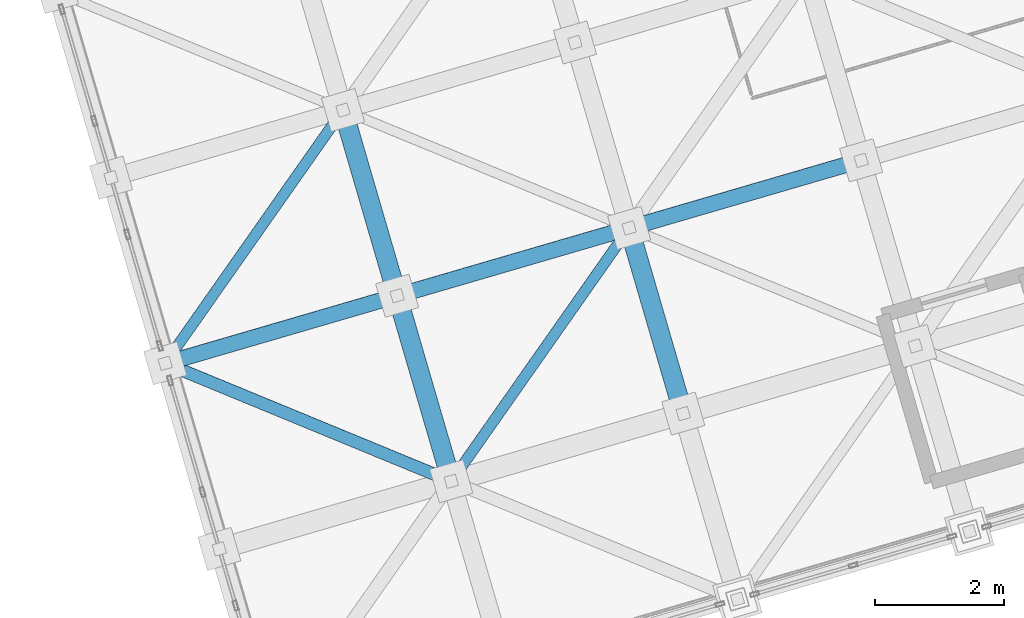
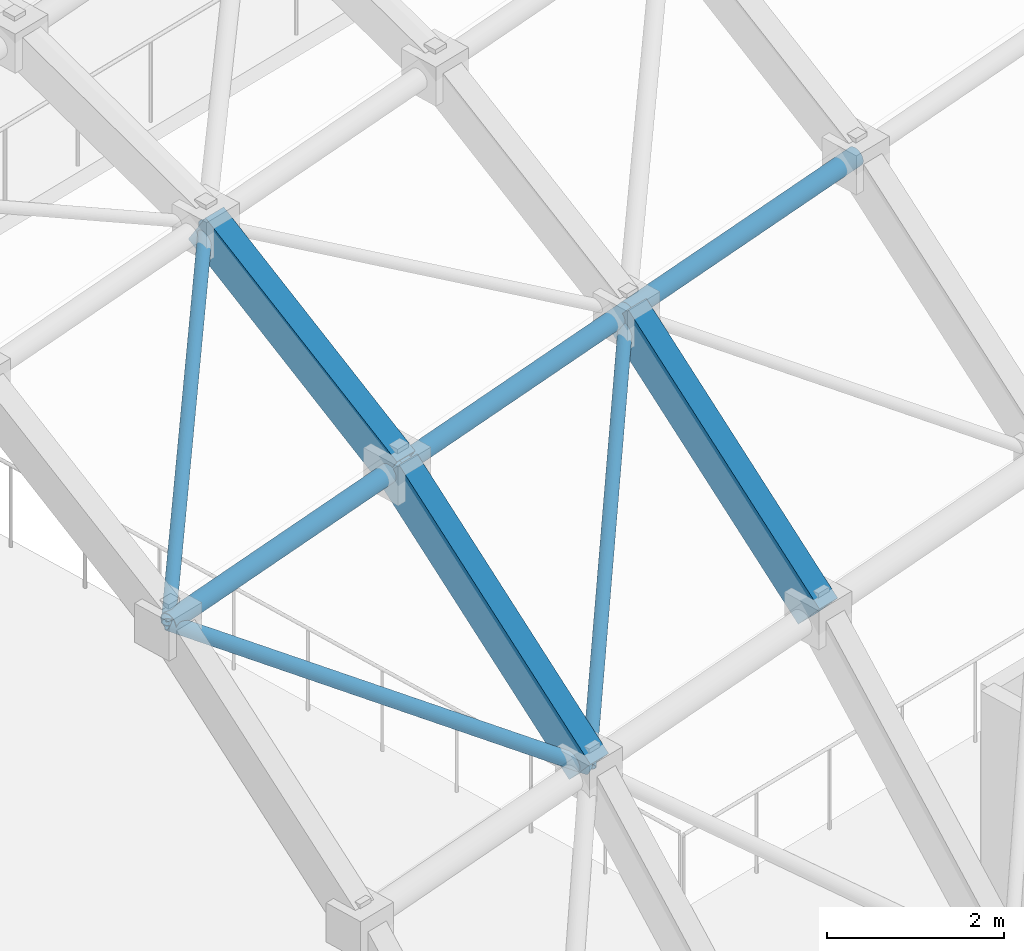
# One storey, part 33 of 248: 6 members, 3 beams.
"""IFC4 building model written with IfcOpenShell, lengths in metres."""

from ifc_helpers import new_model, si_unit, direction, frame, origin, origin_2d, place, context, subcontext, project, spatial, hollow_rectangle, hollow_circle, extrude, material, material_profile, profile_set, type_object, element, save


model = new_model("IFC4")

# Units and contexts
model_context = context("Model", 3, precision=1e-05, world=origin(), true_north=direction((0.0, 1.0)))
body_context = subcontext(model_context, "Body", "Model", "MODEL_VIEW")
ifc_project = project(units=[si_unit("LENGTHUNIT", "METRE"), si_unit("AREAUNIT", "SQUARE_METRE"), si_unit("VOLUMEUNIT", "CUBIC_METRE"), si_unit("PLANEANGLEUNIT", "RADIAN"), si_unit("MASSUNIT", "GRAM", prefix="KILO")], contexts=[model_context])

# Site, building, storey
site_placement = place(None, origin())
site = spatial("IfcSite", under=ifc_project, at=site_placement, CompositionType="ELEMENT")
building_placement = place(site_placement, origin())
building = spatial("IfcBuilding", under=site, at=building_placement, Name="Canggui Botanical Conservatory", CompositionType="ELEMENT")
storey_placement = place(building_placement, frame((0.0, 0.0, 5.39990234375)))
storey = spatial("IfcBuildingStorey", under=building, at=storey_placement, Name="L02", CompositionType="ELEMENT", Elevation=5.39990234375)

# Beams
ifc_material = material(Name="Steel Q355C", Category="steel")
ifc_material_profile_1 = material_profile(ifc_material, hollow_rectangle(XDim=0.300048828125, YDim=0.5, WallThickness=0.01611328125, at=origin_2d()), Name="RHS 300x500x16")
ifc_profile_set_1 = profile_set([ifc_material_profile_1], Name="Steel Q355C")
beam_type = type_object("IfcBeamType", Name="BM-GJ01", PredefinedType="BEAM", material=ifc_profile_set_1)
beam_1_placement = place(storey_placement, frame((22.760009765625, 45.929931640625, 7.30615234375), z_axis=(-0.208553195479, 0.714996235706, 0.66729749556), x_axis=(-0.959995442804, -0.2800156242, 0.0)))
element("IfcBeam", 1, at=beam_1_placement, inside=storey, type_object=beam_type, Name="Conservatory Stepped-Arch Rib GJ-02 Segment 2", PredefinedType="BEAM", context=body_context, shape_type="SweptSolid", body=[
    extrude(hollow_rectangle(XDim=0.300048828125, YDim=0.5, WallThickness=0.01611328125, at=origin_2d()), origin(), (0.0, 0.0, 1.0), 4.028076171875),
])
beam_2_placement = place(storey_placement, frame((21.919921875, 48.81005859375, 9.994140625), z_axis=(-0.235803624532, 0.808587079936, 0.539058053291), x_axis=(-0.960010937337, -0.279962497833, 0.0)))
element("IfcBeam", 2, at=beam_2_placement, inside=storey, type_object=beam_type, Name="Conservatory Stepped-Arch Rib GJ-02 Segment 3", PredefinedType="BEAM", context=body_context, shape_type="SweptSolid", body=[
    extrude(hollow_rectangle(XDim=0.300048828125, YDim=0.5, WallThickness=0.01611328125, at=origin_2d()), origin(), (0.0, 0.0, 1.0), 3.5615234375),
])
beam_3_placement = place(storey_placement, frame((26.360107421875, 46.97998046875, 7.55615234375), z_axis=(-0.208553195479, 0.714996235706, 0.66729749556), x_axis=(-0.959995442804, -0.2800156242, 0.0)))
element("IfcBeam", 3, at=beam_3_placement, inside=storey, type_object=beam_type, Name="Conservatory Stepped-Arch Rib GJ-03 Segment 2", PredefinedType="BEAM", context=body_context, shape_type="SweptSolid", body=[
    extrude(hollow_rectangle(XDim=0.300048828125, YDim=0.5, WallThickness=0.01611328125, at=origin_2d()), origin(), (0.0, 0.0, 1.0), 4.028076171875),
])

# Members
ifc_material_profile_2 = material_profile(ifc_material, hollow_circle(Radius=0.12255859375, WallThickness=0.010009765625, at=origin_2d()), Name="CHS 245x10")
ifc_profile_set_2 = profile_set([ifc_material_profile_2], Name="Steel Q355C")
member_type_1 = type_object("IfcMemberType", Name="MEM-GSC04", PredefinedType="CHORD", material=ifc_profile_set_2)
member_1_placement = place(storey_placement, frame((18.320068359375, 47.760009765625, 9.744140625), z_axis=(0.957867059601, 0.279402253194, 0.066521252562), x_axis=(-0.280022500685, 0.959993437014, 0.0)))
element("IfcMember", 4, at=member_1_placement, inside=storey, type_object=member_type_1, Name="Conservatory Gridshell Longitudinal Chord 1-2", PredefinedType="CHORD", context=body_context, shape_type="SweptSolid", body=[
    extrude(hollow_circle(Radius=0.12255859375, WallThickness=0.010009765625, at=origin_2d()), origin(), (0.0, 0.0, 1.0), 3.75830078125),
])
member_2_placement = place(storey_placement, frame((21.919921875, 48.81005859375, 9.994140625), z_axis=(0.957872417874, 0.27938486839, 0.066517113516), x_axis=(-0.280004999853, 0.959998541695, 0.0)))
element("IfcMember", 5, at=member_2_placement, inside=storey, type_object=member_type_1, Name="Conservatory Gridshell Longitudinal Chord 2-2", PredefinedType="CHORD", context=body_context, shape_type="SweptSolid", body=[
    extrude(hollow_circle(Radius=0.12255859375, WallThickness=0.010009765625, at=origin_2d()), origin(), (0.0, 0.0, 1.0), 3.758544921875),
])
member_3_placement = place(storey_placement, frame((25.52001953125, 49.860107421875, 10.244140625), z_axis=(0.957889800097, 0.279324979006, 0.066518320582), x_axis=(-0.279945000113, 0.960016039924, 0.0)))
element("IfcMember", 6, at=member_3_placement, inside=storey, type_object=member_type_1, Name="Conservatory Gridshell Longitudinal Chord 3-2", PredefinedType="CHORD", context=body_context, shape_type="SweptSolid", body=[
    extrude(hollow_circle(Radius=0.12255859375, WallThickness=0.010009765625, at=origin_2d()), origin(), (0.0, 0.0, 1.0), 3.75830078125),
])
ifc_material_profile_3 = material_profile(ifc_material, hollow_circle(Radius=0.096923828125, WallThickness=0.008056640625, at=origin_2d()), Name="CHS 194x8")
ifc_profile_set_3 = profile_set([ifc_material_profile_3], Name="Steel Q355C")
member_type_2 = type_object("IfcMemberType", Name="MEM-GSD02", PredefinedType="RAFTER", material=ifc_profile_set_3)
member_4_placement = place(storey_placement, frame((18.320068359375, 47.760009765625, 9.744140625), z_axis=(0.824390397512, -0.339801518737, -0.452675822586), x_axis=(0.381082183428, 0.924541166998, 0.0)))
element("IfcMember", 7, at=member_4_placement, inside=storey, type_object=member_type_2, Name="Conservatory Gridshell Diagrid Rafter 1-2", PredefinedType="RAFTER", context=body_context, shape_type="SweptSolid", body=[
    extrude(hollow_circle(Radius=0.096923828125, WallThickness=0.008056640625, at=origin_2d()), origin(), (0.0, 0.0, 1.0), 5.3857421875),
])
ifc_material_profile_4 = material_profile(ifc_material, hollow_circle(Radius=0.083984375, WallThickness=0.008056640625, at=origin_2d()), Name="CHS 168x8")
ifc_profile_set_4 = profile_set([ifc_material_profile_4], Name="Steel Q355C")
member_type_3 = type_object("IfcMemberType", Name="MEM-GSD03", PredefinedType="RAFTER", material=ifc_profile_set_4)
member_5_placement = place(storey_placement, frame((18.320068359375, 47.760009765625, 9.744140625), z_axis=(0.52374291705, 0.74574876035, 0.411767098341), x_axis=(-0.818344854073, 0.574727500484, 0.0)))
element("IfcMember", 8, at=member_5_placement, inside=storey, type_object=member_type_3, Name="Conservatory Gridshell Diagrid Rafter 1-3", PredefinedType="RAFTER", context=body_context, shape_type="SweptSolid", body=[
    extrude(hollow_circle(Radius=0.083984375, WallThickness=0.008056640625, at=origin_2d()), origin(), (0.0, 0.0, 1.0), 5.269775390625),
])
member_6_placement = place(storey_placement, frame((22.760009765625, 45.929931640625, 7.30615234375), z_axis=(0.49024183756, 0.69809049987, 0.521854955612), x_axis=(-0.818361645525, 0.574703590674, 0.0)))
element("IfcMember", 9, at=member_6_placement, inside=storey, type_object=member_type_3, Name="Conservatory Gridshell Diagrid Rafter 2-2", PredefinedType="RAFTER", context=body_context, shape_type="SweptSolid", body=[
    extrude(hollow_circle(Radius=0.083984375, WallThickness=0.008056640625, at=origin_2d()), origin(), (0.0, 0.0, 1.0), 5.6298828125),
])

save(model, "model.ifc")
